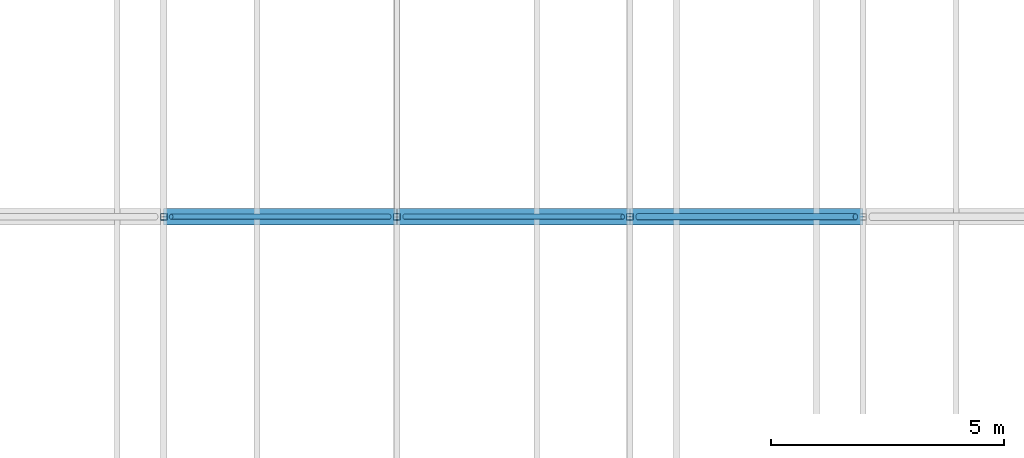
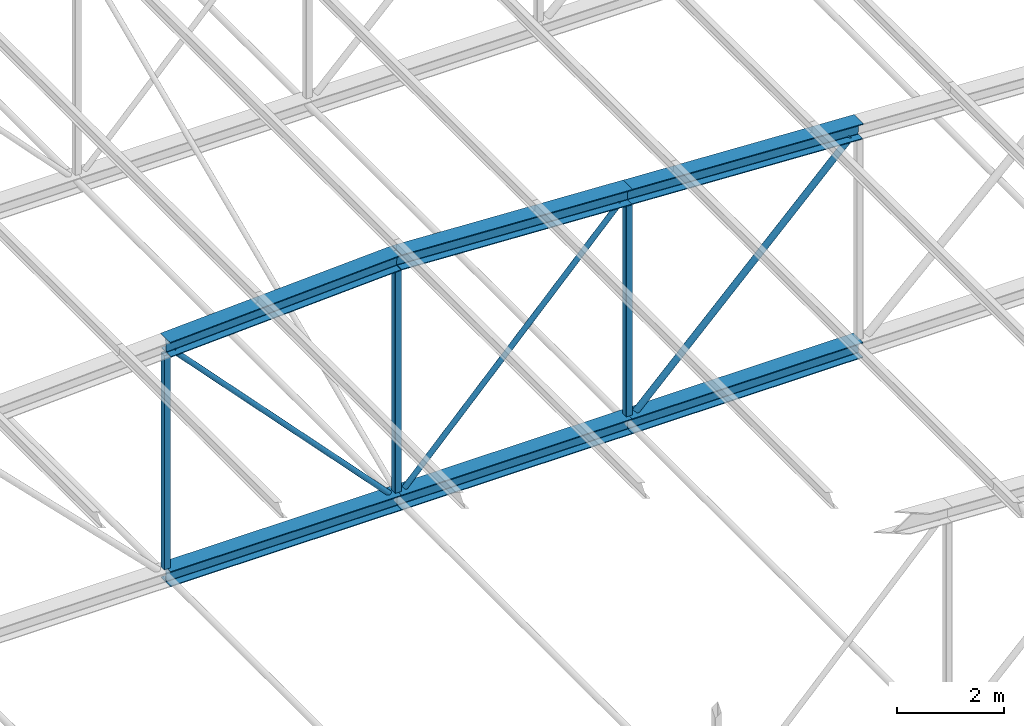
# One storey, part 30 of 156: 12 members.
"""IFC4 building model written with IfcOpenShell, lengths in metres."""

from ifc_helpers import new_model, si_unit, direction, frame, origin, origin_2d, place, context, subcontext, project, spatial, hollow_rectangle, hollow_circle, i_section, extrude, material, material_profile, profile_set, type_object, element, save


model = new_model("IFC4")

# Units and contexts
model_context = context("Model", 3, precision=1e-05, world=origin(), true_north=direction((0.0, 1.0)))
body_context = subcontext(model_context, "Body", "Model", "MODEL_VIEW")
ifc_project = project(units=[si_unit("LENGTHUNIT", "METRE"), si_unit("AREAUNIT", "SQUARE_METRE"), si_unit("VOLUMEUNIT", "CUBIC_METRE"), si_unit("PLANEANGLEUNIT", "RADIAN"), si_unit("MASSUNIT", "GRAM", prefix="KILO")], contexts=[model_context])

# Site, building, storey
site_placement = place(None, origin())
site = spatial("IfcSite", under=ifc_project, at=site_placement, CompositionType="ELEMENT")
building_placement = place(site_placement, origin())
building = spatial("IfcBuilding", under=site, at=building_placement, Name="Lilac Gate Convention Centre", CompositionType="ELEMENT")
storey_placement = place(building_placement, frame((0.0, 0.0, 17.0)))
storey = spatial("IfcBuildingStorey", under=building, at=storey_placement, Name="L03", CompositionType="ELEMENT", Elevation=17.0)

# Members
ifc_material = material(Name="Steel Q355B", Category="steel")
ifc_material_profile_1 = material_profile(ifc_material, i_section(OverallWidth=0.35693359375, OverallDepth=0.35009765625, WebThickness=0.01904296875, FlangeThickness=0.01904296875, FilletRadius=0.012939453125, at=origin_2d()), Name="HW350x357x19x19")
ifc_profile_set_1 = profile_set([ifc_material_profile_1], Name="Steel Q355B")
member_type_1 = type_object("IfcMemberType", Name="Truss bottom chord HW350x357x19x19", PredefinedType="CHORD", material=ifc_profile_set_1)
for number, where, z_axis, x_axis, name in (
    (1, (55.0, 66.0, 0.0), (1.0, 0.0, 0.0), (0.0, 1.0, 0.0), "TB3 truss 4 bottom chord 6"),
    (2, (60.0, 66.0, 0.0), (1.0, 0.0, 0.0), (0.0, 1.0, 0.0), "TB3 truss 4 bottom chord 7"),
    (3, (65.0, 66.0, 0.0), (1.0, 0.0, 0.0), (0.0, 1.0, 0.0), "TB3 truss 4 bottom chord 8"),
):
    element("IfcMember", number, at=place(storey_placement, frame(where, z_axis=z_axis, x_axis=x_axis)), inside=storey, type_object=member_type_1, Name=name, PredefinedType="CHORD", context=body_context, shape_type="SweptSolid", body=[
        extrude(i_section(OverallWidth=0.35693359375, OverallDepth=0.35009765625, WebThickness=0.01904296875, FlangeThickness=0.01904296875, FilletRadius=0.012939453125, at=origin_2d()), origin(), (0.0, 0.0, 1.0), 5.0),
    ])
ifc_material_profile_2 = material_profile(ifc_material, hollow_circle(Radius=0.05712890625, WallThickness=0.0048828125, at=origin_2d()), Name="CHS114.3x5")
ifc_profile_set_2 = profile_set([ifc_material_profile_2], Name="Steel Q355B")
member_type_2 = type_object("IfcMemberType", Name="Truss diagonal CHS114.3x5", PredefinedType="BRACE", material=ifc_profile_set_2)
for number, where, z_axis, x_axis, name in (
    (4, (55.156494140625, 66.0, 5.085693359375), (0.6896515765, 0.0, -0.724141355697), (0.0, 1.0, 0.0), "TW6 truss 4 diagonal 6"),
    (5, (64.843505859375, 66.0, 5.085693359375), (-0.6896515765, 0.0, -0.724141355697), (0.0, -1.0, 0.0), "TW6 truss 4 diagonal 7"),
):
    element("IfcMember", number, at=place(storey_placement, frame(where, z_axis=z_axis, x_axis=x_axis)), inside=storey, type_object=member_type_2, Name=name, PredefinedType="BRACE", context=body_context, shape_type="SweptSolid", body=[
        extrude(hollow_circle(Radius=0.05712890625, WallThickness=0.0048828125, at=origin_2d()), origin(), (0.0, 0.0, 1.0), 6.78125),
    ])
ifc_material_profile_3 = material_profile(ifc_material, hollow_circle(Radius=0.06982421875, WallThickness=0.006103515625, at=origin_2d()), Name="CHS139.7x6")
ifc_profile_set_3 = profile_set([ifc_material_profile_3], Name="Steel Q355B")
member_type_3 = type_object("IfcMemberType", Name="Truss diagonal CHS139.7x6", PredefinedType="BRACE", material=ifc_profile_set_3)
member_1_placement = place(storey_placement, frame((69.835693359375, 66.0, 4.835693359375), z_axis=(-0.707106781187, 0.0, -0.707106781187), x_axis=(0.0, -1.0, 0.0)))
element("IfcMember", 6, at=member_1_placement, inside=storey, type_object=member_type_3, Name="TW5 truss 4 diagonal 8", PredefinedType="BRACE", context=body_context, shape_type="SweptSolid", body=[
    extrude(hollow_circle(Radius=0.06982421875, WallThickness=0.006103515625, at=origin_2d()), origin(), (0.0, 0.0, 1.0), 6.591064453125),
])
ifc_material_profile_4 = material_profile(ifc_material, i_section(OverallWidth=0.35009765625, OverallDepth=0.35009765625, WebThickness=0.011962890625, FlangeThickness=0.01904296875, FilletRadius=0.012939453125, at=origin_2d()), Name="HW350x350x12x19")
ifc_profile_set_4 = profile_set([ifc_material_profile_4], Name="Steel Q355B")
member_type_4 = type_object("IfcMemberType", Name="Truss top chord HW350x350x12x19", PredefinedType="CHORD", material=ifc_profile_set_4)
member_2_placement = place(storey_placement, frame((65.0, 66.0, 5.25), z_axis=(0.998752338878, 0.0, -0.049937616944), x_axis=(0.0, 1.0, 0.0)))
element("IfcMember", 7, at=member_2_placement, inside=storey, type_object=member_type_4, Name="TT2 truss 4 top chord 8", PredefinedType="CHORD", context=body_context, shape_type="SweptSolid", body=[
    extrude(i_section(OverallWidth=0.35009765625, OverallDepth=0.35009765625, WebThickness=0.011962890625, FlangeThickness=0.01904296875, FilletRadius=0.012939453125, at=origin_2d()), origin(), (0.0, 0.0, 1.0), 5.00634765625),
])
ifc_material_profile_5 = material_profile(ifc_material, i_section(OverallWidth=0.35693359375, OverallDepth=0.35009765625, WebThickness=0.01904296875, FlangeThickness=0.01904296875, FilletRadius=0.012939453125, at=origin_2d()), Name="HW350x357x19x19")
ifc_profile_set_5 = profile_set([ifc_material_profile_5], Name="Steel Q355B")
member_type_5 = type_object("IfcMemberType", Name="Truss top chord HW350x357x19x19", PredefinedType="CHORD", material=ifc_profile_set_5)
for number, where, z_axis, x_axis, name in (
    (8, (55.0, 66.0, 5.25), (0.998752338878, 0.0, 0.049937616944), (0.0, 1.0, 0.0), "TT3 truss 4 top chord 6"),
    (9, (60.0, 66.0, 5.5), (0.998752338878, 0.0, -0.049937616944), (0.0, 1.0, 0.0), "TT3 truss 4 top chord 7"),
):
    element("IfcMember", number, at=place(storey_placement, frame(where, z_axis=z_axis, x_axis=x_axis)), inside=storey, type_object=member_type_5, Name=name, PredefinedType="CHORD", context=body_context, shape_type="SweptSolid", body=[
        extrude(i_section(OverallWidth=0.35693359375, OverallDepth=0.35009765625, WebThickness=0.01904296875, FlangeThickness=0.01904296875, FilletRadius=0.012939453125, at=origin_2d()), origin(), (0.0, 0.0, 1.0), 5.00634765625),
    ])
ifc_material_profile_6 = material_profile(ifc_material, hollow_rectangle(XDim=0.139892578125, YDim=0.139892578125, WallThickness=0.0048828125, InnerFilletRadius=0.0048828125, OuterFilletRadius=0.010009765625, at=origin_2d()), Name="SHS140x140x5")
ifc_profile_set_6 = profile_set([ifc_material_profile_6], Name="Steel Q355B")
member_type_6 = type_object("IfcMemberType", Name="Truss vertical SHS140x140x5", PredefinedType="STRUT", material=ifc_profile_set_6)
member_3_placement = place(storey_placement, frame((55.0, 66.0, 0.175048828125), z_axis=(0.0, 0.0, 1.0), x_axis=(1.0, 0.0, 0.0)))
element("IfcMember", 10, at=member_3_placement, inside=storey, type_object=member_type_6, Name="TV4 truss 4 vertical 6", PredefinedType="STRUT", context=body_context, shape_type="SweptSolid", body=[
    extrude(hollow_rectangle(XDim=0.139892578125, YDim=0.139892578125, WallThickness=0.0048828125, InnerFilletRadius=0.0048828125, OuterFilletRadius=0.010009765625, at=origin_2d()), origin(), (0.0, 0.0, 1.0), 4.899658203125),
])
member_4_placement = place(storey_placement, frame((60.0, 66.0, 0.175048828125), z_axis=(0.0, 0.0, 1.0), x_axis=(1.0, 0.0, 0.0)))
element("IfcMember", 11, at=member_4_placement, inside=storey, type_object=member_type_6, Name="TV4 truss 4 vertical 7", PredefinedType="STRUT", context=body_context, shape_type="SweptSolid", body=[
    extrude(hollow_rectangle(XDim=0.139892578125, YDim=0.139892578125, WallThickness=0.0048828125, InnerFilletRadius=0.0048828125, OuterFilletRadius=0.010009765625, at=origin_2d()), origin(), (0.0, 0.0, 1.0), 5.149658203125),
])
member_5_placement = place(storey_placement, frame((65.0, 66.0, 0.175048828125), z_axis=(0.0, 0.0, 1.0), x_axis=(1.0, 0.0, 0.0)))
element("IfcMember", 12, at=member_5_placement, inside=storey, type_object=member_type_6, Name="TV4 truss 4 vertical 8", PredefinedType="STRUT", context=body_context, shape_type="SweptSolid", body=[
    extrude(hollow_rectangle(XDim=0.139892578125, YDim=0.139892578125, WallThickness=0.0048828125, InnerFilletRadius=0.0048828125, OuterFilletRadius=0.010009765625, at=origin_2d()), origin(), (0.0, 0.0, 1.0), 4.899658203125),
])

save(model, "model.ifc")
